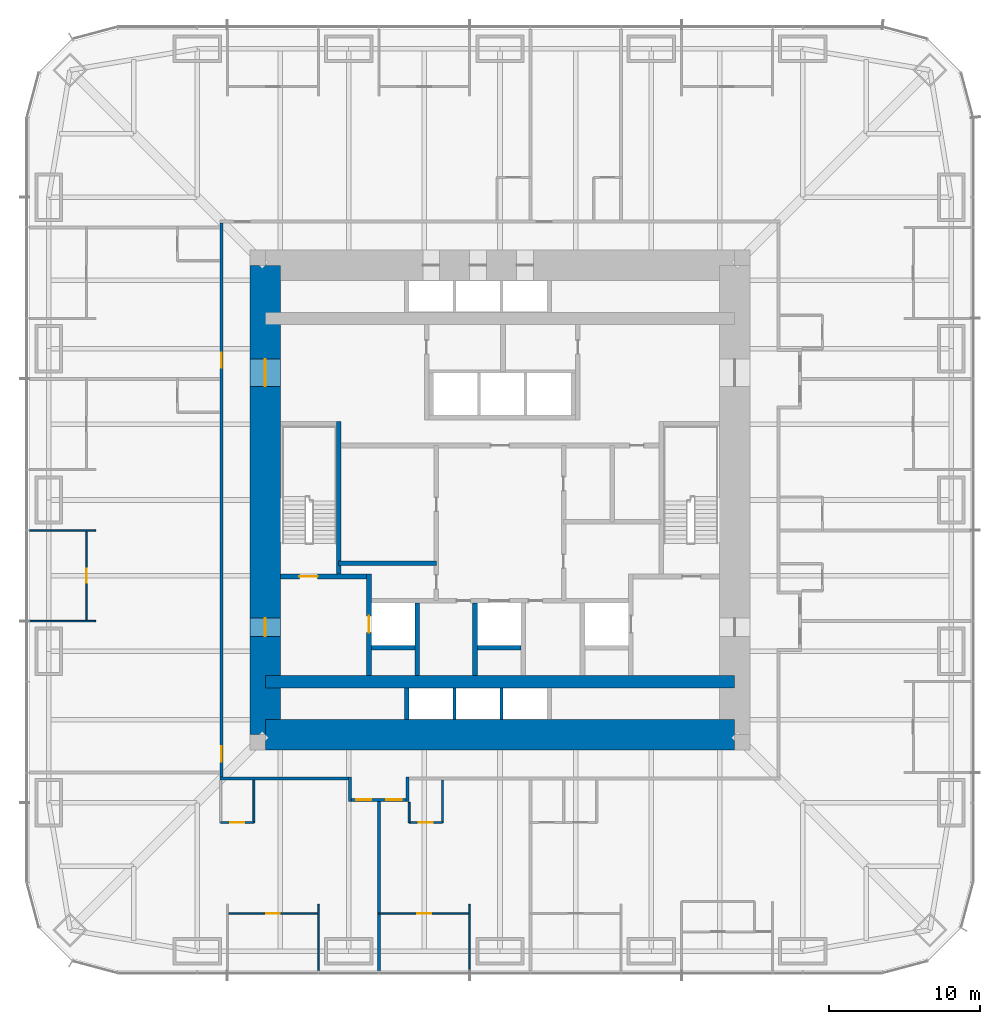
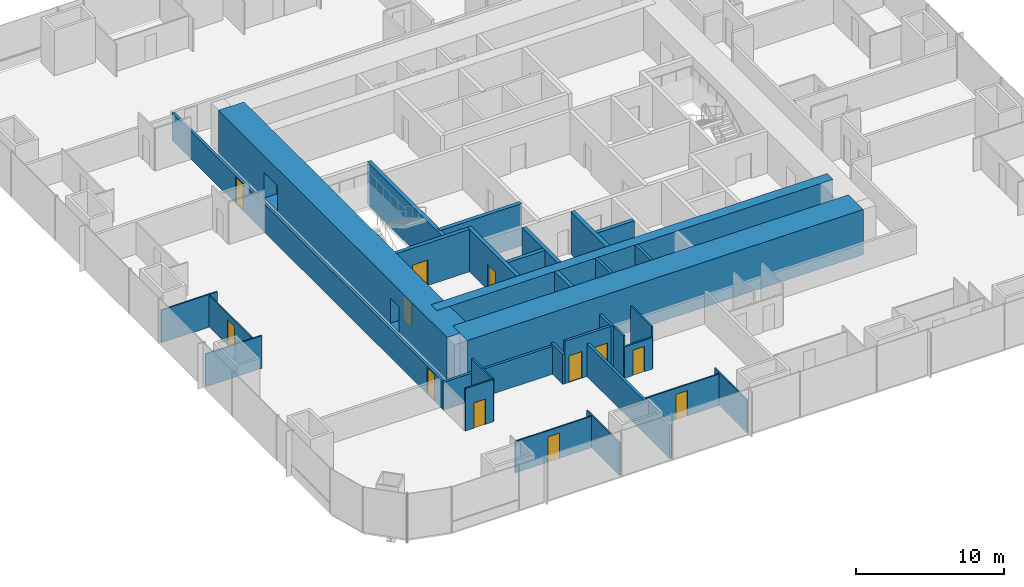
# One storey, part 12 of 17: 32 walls, 13 doors, 13 openings.
"""IFC4 building model written with IfcOpenShell, lengths in metres."""

from ifc_helpers import new_model, si_unit, direction, frame, frame_2d, origin, place, context, subcontext, project, spatial, rectangle, extrude, material, layer, layer_set, type_object, element, fill, save


model = new_model("IFC4")

# Units and contexts
model_context = context("Model", 3, precision=1e-05, world=origin(), true_north=direction((0.0, 1.0)))
body_context = subcontext(model_context, "Body", "Model", "MODEL_VIEW")
ifc_project = project(units=[si_unit("LENGTHUNIT", "METRE"), si_unit("AREAUNIT", "SQUARE_METRE"), si_unit("VOLUMEUNIT", "CUBIC_METRE"), si_unit("PLANEANGLEUNIT", "RADIAN"), si_unit("MASSUNIT", "GRAM", prefix="KILO")], contexts=[model_context])

# Site, building, storey
site_placement = place(None, origin())
site = spatial("IfcSite", under=ifc_project, at=site_placement, CompositionType="ELEMENT")
building_placement = place(site_placement, origin())
building = spatial("IfcBuilding", under=site, at=building_placement, Name="Khuree Lantern Residences", CompositionType="ELEMENT")
storey_placement = place(building_placement, frame((0.0, 0.0, 77.25)))
storey = spatial("IfcBuildingStorey", under=building, at=storey_placement, Name="L19", CompositionType="ELEMENT", Elevation=77.25)

# Wall, opening, door
ifc_material_1 = material(Name="Moisture-resistant gypsum board on steel studs", Category="steel")
ifc_layer_1 = layer(ifc_material_1, 0.125)
ifc_layer_set_1 = layer_set([ifc_layer_1], Name="BATHROOM WALL BTW125")
wall_type_1 = type_object("IfcWallType", Name="BATHROOM WALL BTW125", PredefinedType="PARTITIONING", material=ifc_layer_set_1)
wall_1_placement = place(storey_placement, frame((-18.449951171875, -21.300048828125, 0.0), z_axis=(0.0, 0.0, 1.0), x_axis=(1.0, 0.0, 0.0)))
wall_1 = element("IfcWall", 1, at=wall_1_placement, inside=storey, type_object=wall_type_1, Name="L19 BATHROOM WALL 08", PredefinedType="PARTITIONING", context=body_context, shape_type="SweptSolid", body=[
    extrude(rectangle(XDim=2.199951171875, YDim=0.125, at=frame_2d((1.10009765625, 0.0))), origin(), (0.0, 0.0, 1.0), 3.5),
])
opening_1_placement = place(wall_1_placement, frame((0.64990234375, 0.0, 0.0)))
opening_1 = element("IfcOpeningElement", 2, at=opening_1_placement, cuts=wall_1, Name="Opening 19-046", PredefinedType="OPENING", context=body_context, shape_type="SweptSolid", body=[
    extrude(rectangle(XDim=0.89990234375, YDim=2.10009765625, at=frame_2d((0.449951171875, 1.050048828125))), frame((0.0, 0.072509765625, 0.0), z_axis=(0.0, -1.0, 0.0), x_axis=(1.0, 0.0, 0.0)), (0.0, 0.0, 1.0), 0.14501953125),
])
ifc_material_2 = material(Name="Timber door leaf in hardwood frame", Category="wood")
door_type_1 = type_object("IfcDoorType", Name="BATHROOM DOOR 900X2100", OperationType="SINGLE_SWING_LEFT", PredefinedType="DOOR", material=ifc_material_2)
door_1_placement = place(opening_1_placement, origin())
door_1 = element("IfcDoor", 3, at=door_1_placement, inside=storey, type_object=door_type_1, Name="Bathroom door 19-046", OperationType="SINGLE_SWING_LEFT", OverallHeight=2.10009765625, OverallWidth=0.89990234375, PredefinedType="DOOR", context=body_context, shape_type="SweptSolid", body=[
    extrude(rectangle(XDim=0.89990234375, YDim=2.10009765625, at=frame_2d((0.449951171875, 1.050048828125))), frame((0.0, 0.02490234375, 0.0), z_axis=(0.0, -1.0, 0.0), x_axis=(1.0, 0.0, 0.0)), (0.0, 0.0, 1.0), 0.050048828125),
])
fill(opening_1, door_1)

# Wall
wall_2_placement = place(storey_placement, frame((-16.25, -18.5, 0.0), z_axis=(0.0, 0.0, 1.0), x_axis=(0.0, -1.0, 0.0)))
element("IfcWall", 4, at=wall_2_placement, inside=storey, type_object=wall_type_1, Name="L19 BATHROOM WALL 08", PredefinedType="PARTITIONING", context=body_context, shape_type="SweptSolid", body=[
    extrude(rectangle(XDim=2.800048828125, YDim=0.125, at=frame_2d((1.39990234375, 0.0))), origin(), (0.0, 0.0, 1.0), 3.5),
])

# Wall, opening, door
wall_3_placement = place(storey_placement, frame((-6.0, -21.300048828125, 0.0), z_axis=(0.0, 0.0, 1.0), x_axis=(1.0, 0.0, 0.0)))
wall_3 = element("IfcWall", 5, at=wall_3_placement, inside=storey, type_object=wall_type_1, Name="L19 BATHROOM WALL 09", PredefinedType="PARTITIONING", context=body_context, shape_type="SweptSolid", body=[
    extrude(rectangle(XDim=2.199951171875, YDim=0.125, at=frame_2d((1.10009765625, 0.0))), origin(), (0.0, 0.0, 1.0), 2.610107421875),
])
opening_2_placement = place(wall_3_placement, frame((0.64990234375, 0.0, 0.0)))
opening_2 = element("IfcOpeningElement", 6, at=opening_2_placement, cuts=wall_3, Name="Opening 19-049", PredefinedType="OPENING", context=body_context, shape_type="SweptSolid", body=[
    extrude(rectangle(XDim=0.89990234375, YDim=2.10009765625, at=frame_2d((0.449951171875, 1.050048828125))), frame((0.0, 0.072509765625, 0.0), z_axis=(0.0, -1.0, 0.0), x_axis=(1.0, 0.0, 0.0)), (0.0, 0.0, 1.0), 0.14501953125),
])
door_2_placement = place(opening_2_placement, origin())
door_2 = element("IfcDoor", 7, at=door_2_placement, inside=storey, type_object=door_type_1, Name="Bathroom door 19-049", OperationType="SINGLE_SWING_LEFT", OverallHeight=2.10009765625, OverallWidth=0.89990234375, PredefinedType="DOOR", context=body_context, shape_type="SweptSolid", body=[
    extrude(rectangle(XDim=0.89990234375, YDim=2.10009765625, at=frame_2d((0.449951171875, 1.050048828125))), frame((0.0, 0.02490234375, 0.0), z_axis=(0.0, -1.0, 0.0), x_axis=(1.0, 0.0, 0.0)), (0.0, 0.0, 1.0), 0.050048828125),
])
fill(opening_2, door_2)

# Walls
wall_4_placement = place(storey_placement, frame((-6.0, -19.969970703125, 0.0), z_axis=(0.0, 0.0, 1.0), x_axis=(0.0, -1.0, 0.0)))
element("IfcWall", 8, at=wall_4_placement, inside=storey, type_object=wall_type_1, Name="L19 BATHROOM WALL 09", PredefinedType="PARTITIONING", context=body_context, shape_type="SweptSolid", body=[
    extrude(rectangle(XDim=1.330078125, YDim=0.125, at=frame_2d((0.6650390625, 0.0))), origin(), (0.0, 0.0, 1.0), 3.5),
])
wall_5_placement = place(storey_placement, frame((-3.800048828125, -18.5, 0.0), z_axis=(0.0, 0.0, 1.0), x_axis=(0.0, -1.0, 0.0)))
element("IfcWall", 9, at=wall_5_placement, inside=storey, type_object=wall_type_1, Name="L19 BATHROOM WALL 09", PredefinedType="PARTITIONING", context=body_context, shape_type="SweptSolid", body=[
    extrude(rectangle(XDim=2.800048828125, YDim=0.125, at=frame_2d((1.39990234375, 0.0))), origin(), (0.0, 0.0, 1.0), 3.5),
])

# Wall, opening, door
ifc_material_3 = material(Name="Dense concrete blockwork", Category="masonry")
ifc_layer_2 = layer(ifc_material_3, 0.300048828125)
ifc_layer_set_2 = layer_set([ifc_layer_2], Name="CORE PARTITION WALL CPW300 EI 120")
wall_type_2 = type_object("IfcWallType", Name="CORE PARTITION WALL CPW300 EI 120", PredefinedType="PARTITIONING", material=ifc_layer_set_2)
wall_6_placement = place(storey_placement, frame((-8.64990234375, -11.60009765625, 0.0), z_axis=(0.0, 0.0, 1.0), x_axis=(0.0, 1.0, 0.0)))
wall_6 = element("IfcWall", 10, at=wall_6_placement, inside=storey, type_object=wall_type_2, Name="L19 CORE WALL FL1W", PredefinedType="PARTITIONING", context=body_context, shape_type="SweptSolid", body=[
    extrude(rectangle(XDim=6.7001953125, YDim=0.300048828125, at=frame_2d((3.35009765625, 0.0))), origin(), (0.0, 0.0, 1.0), 3.5),
])
opening_3_placement = place(wall_6_placement, frame((2.85009765625, 0.0, 0.0)))
opening_3 = element("IfcOpeningElement", 11, at=opening_3_placement, cuts=wall_6, Name="Opening 19-007", PredefinedType="OPENING", context=body_context, shape_type="SweptSolid", body=[
    extrude(rectangle(XDim=1.10009765625, YDim=2.10009765625, at=frame_2d((0.550048828125, 1.050048828125))), frame((0.0, 0.16015625, 0.0), z_axis=(0.0, -1.0, 0.0), x_axis=(1.0, 0.0, 0.0)), (0.0, 0.0, 1.0), 0.320068359375),
])
ifc_material_4 = material(Name="Stainless steel lift landing door", Category="steel")
door_type_2 = type_object("IfcDoorType", Name="LIFT LANDING DOOR 1100X2100 E 120", OperationType="DOUBLE_DOOR_SLIDING", PredefinedType="DOOR", material=ifc_material_4)
door_3_placement = place(opening_3_placement, origin())
door_3 = element("IfcDoor", 12, at=door_3_placement, inside=storey, type_object=door_type_2, Name="Landing door FL1 19-007", OperationType="DOUBLE_DOOR_SLIDING", OverallHeight=2.10009765625, OverallWidth=1.10009765625, PredefinedType="DOOR", context=body_context, shape_type="SweptSolid", body=[
    extrude(rectangle(XDim=1.10009765625, YDim=2.10009765625, at=frame_2d((0.550048828125, 1.050048828125))), frame((0.0, 0.02490234375, 0.0), z_axis=(0.0, -1.0, 0.0), x_axis=(1.0, 0.0, 0.0)), (0.0, 0.0, 1.0), 0.050048828125),
])
fill(opening_3, door_3)

# Walls
for number, where, z_axis, x_axis, name in (
    (13, (-5.449951171875, -11.60009765625, 0.0), (0.0, 0.0, 1.0), (0.0, 1.0, 0.0), "L19 CORE WALL FL1E"),
    (14, (-1.64990234375, -11.60009765625, 0.0), (0.0, 0.0, 1.0), (0.0, 1.0, 0.0), "L19 CORE WALL SL1W"),
):
    element("IfcWall", number, at=place(storey_placement, frame(where, z_axis=z_axis, x_axis=x_axis)), inside=storey, type_object=wall_type_2, Name=name, PredefinedType="PARTITIONING", context=body_context, shape_type="SweptSolid", body=[
        extrude(rectangle(XDim=4.800048828125, YDim=0.300048828125, at=frame_2d((2.39990234375, 0.0))), origin(), (0.0, 0.0, 1.0), 3.5),
    ])
for number, where, z_axis, x_axis, name in (
    (15, (-8.5, -9.75, 0.0), (0.0, 0.0, 1.0), (1.0, 0.0, 0.0), "L19 CORE WALL FL1S"),
    (16, (-1.5, -9.75, 0.0), (0.0, 0.0, 1.0), (1.0, 0.0, 0.0), "L19 CORE WALL SL1S"),
):
    element("IfcWall", number, at=place(storey_placement, frame(where, z_axis=z_axis, x_axis=x_axis)), inside=storey, type_object=wall_type_2, Name=name, PredefinedType="PARTITIONING", context=body_context, shape_type="SweptSolid", body=[
        extrude(rectangle(XDim=2.89990234375, YDim=0.300048828125, at=frame_2d((1.449951171875, 0.0))), origin(), (0.0, 0.0, 1.0), 3.5),
    ])
wall_7_placement = place(storey_placement, frame((-6.14990234375, -14.5, 0.0), z_axis=(0.0, 0.0, 1.0), x_axis=(0.0, 1.0, 0.0)))
element("IfcWall", 17, at=wall_7_placement, inside=storey, type_object=wall_type_2, Name="L19 CORE WALL PMW", PredefinedType="PARTITIONING", context=body_context, shape_type="SweptSolid", body=[
    extrude(rectangle(XDim=2.10009765625, YDim=0.300048828125, at=frame_2d((1.050048828125, 0.0))), origin(), (0.0, 0.0, 1.0), 3.5),
])
wall_8_placement = place(storey_placement, frame((-10.64990234375, -4.177001953125, 0.0), z_axis=(0.0, 0.0, 1.0), x_axis=(1.0, 0.0, 0.0)))
element("IfcWall", 18, at=wall_8_placement, inside=storey, type_object=wall_type_2, Name="L19 CORE WALL WX", PredefinedType="PARTITIONING", context=body_context, shape_type="SweptSolid", body=[
    extrude(rectangle(XDim=6.449951171875, YDim=0.300048828125, at=frame_2d((3.22509765625, 0.0))), origin(), (0.0, 0.0, 1.0), 3.5),
])

# Wall, openings, doors
ifc_material_5 = material(Name="Gypsum board on steel studs", Category="steel")
ifc_layer_3 = layer(ifc_material_5, 0.199951171875)
ifc_layer_set_3 = layer_set([ifc_layer_3], Name="CORRIDOR WALL CRW200 EI 60")
wall_type_3 = type_object("IfcWallType", Name="CORRIDOR WALL CRW200 EI 60", PredefinedType="PARTITIONING", material=ifc_layer_set_3)
wall_9_placement = place(storey_placement, frame((-18.39990234375, 18.300048828125, 0.0), z_axis=(0.0, 0.0, 1.0), x_axis=(0.0, -1.0, 0.0)))
wall_9 = element("IfcWall", 19, at=wall_9_placement, inside=storey, type_object=wall_type_3, Name="L19 CORRIDOR WALL WEST 1", PredefinedType="PARTITIONING", context=body_context, shape_type="SweptSolid", body=[
    extrude(rectangle(XDim=36.60009765625, YDim=0.199951171875, at=frame_2d((18.300048828125, 0.0))), origin(), (0.0, 0.0, 1.0), 2.300048828125),
])
opening_4_placement = place(wall_9_placement, frame((8.570068359375, 0.0, 0.0)))
opening_4 = element("IfcOpeningElement", 20, at=opening_4_placement, cuts=wall_9, Name="Opening 19-040", PredefinedType="OPENING", context=body_context, shape_type="SweptSolid", body=[
    extrude(rectangle(XDim=1.0, YDim=2.199951171875, at=frame_2d((0.5, 1.10009765625))), frame((0.0, 0.10986328125, 0.0), z_axis=(0.0, -1.0, 0.0), x_axis=(1.0, 0.0, 0.0)), (0.0, 0.0, 1.0), 0.219970703125),
])
opening_5_placement = place(wall_9_placement, frame((34.570068359375, 0.0, 0.0)))
opening_5 = element("IfcOpeningElement", 21, at=opening_5_placement, cuts=wall_9, Name="Opening 19-044", PredefinedType="OPENING", context=body_context, shape_type="SweptSolid", body=[
    extrude(rectangle(XDim=1.0, YDim=2.199951171875, at=frame_2d((0.5, 1.10009765625))), frame((0.0, 0.10986328125, 0.0), z_axis=(0.0, -1.0, 0.0), x_axis=(1.0, 0.0, 0.0)), (0.0, 0.0, 1.0), 0.219970703125),
])
door_type_3 = type_object("IfcDoorType", Name="APARTMENT ENTRANCE DOOR 1000X2200 EI 30S", OperationType="SINGLE_SWING_LEFT", PredefinedType="DOOR", material=ifc_material_2)
door_4_placement = place(opening_4_placement, origin())
door_4 = element("IfcDoor", 22, at=door_4_placement, inside=storey, type_object=door_type_3, Name="Apartment 06 entrance door 19-040", OperationType="SINGLE_SWING_LEFT", OverallHeight=2.199951171875, OverallWidth=1.0, PredefinedType="DOOR", context=body_context, shape_type="SweptSolid", body=[
    extrude(rectangle(XDim=1.0, YDim=2.199951171875, at=frame_2d((0.5, 1.10009765625))), frame((0.0, 0.02490234375, 0.0), z_axis=(0.0, -1.0, 0.0), x_axis=(1.0, 0.0, 0.0)), (0.0, 0.0, 1.0), 0.050048828125),
])
fill(opening_4, door_4)
door_type_4 = type_object("IfcDoorType", Name="APARTMENT ENTRANCE DOOR 1000X2200 EI 30S RIGHT HAND", OperationType="SINGLE_SWING_RIGHT", PredefinedType="DOOR", material=ifc_material_2)
door_5_placement = place(opening_5_placement, origin())
door_5 = element("IfcDoor", 23, at=door_5_placement, inside=storey, type_object=door_type_4, Name="Apartment 07 entrance door 19-044", OperationType="SINGLE_SWING_RIGHT", OverallHeight=2.199951171875, OverallWidth=1.0, PredefinedType="DOOR", context=body_context, shape_type="SweptSolid", body=[
    extrude(rectangle(XDim=1.0, YDim=2.199951171875, at=frame_2d((0.5, 1.10009765625))), frame((0.0, 0.02490234375, 0.0), z_axis=(0.0, -1.0, 0.0), x_axis=(1.0, 0.0, 0.0)), (0.0, 0.0, 1.0), 0.050048828125),
])
fill(opening_5, door_5)

# Walls
wall_10_placement = place(storey_placement, frame((-6.10009765625, -18.300048828125, 0.0), z_axis=(0.0, 0.0, 1.0), x_axis=(0.0, -1.0, 0.0)))
element("IfcWall", 24, at=wall_10_placement, inside=storey, type_object=wall_type_3, Name="L19 CORRIDOR ALCOVE WALL SOUTH", PredefinedType="PARTITIONING", context=body_context, shape_type="SweptSolid", body=[
    extrude(rectangle(XDim=1.599853515625, YDim=0.199951171875, at=frame_2d((0.7998046875, 0.0))), origin(), (0.0, 0.0, 1.0), 3.5),
])
wall_11_placement = place(storey_placement, frame((-9.89990234375, -18.300048828125, 0.0), z_axis=(0.0, 0.0, 1.0), x_axis=(0.0, -1.0, 0.0)))
element("IfcWall", 25, at=wall_11_placement, inside=storey, type_object=wall_type_3, Name="L19 CORRIDOR ALCOVE WALL SOUTH", PredefinedType="PARTITIONING", context=body_context, shape_type="SweptSolid", body=[
    extrude(rectangle(XDim=1.599853515625, YDim=0.199951171875, at=frame_2d((0.7998046875, 0.0))), origin(), (0.0, 0.0, 1.0), 2.491943359375),
])

# Wall, openings, doors
wall_12_placement = place(storey_placement, frame((-6.199951171875, -19.800048828125, 0.0), z_axis=(0.0, 0.0, 1.0), x_axis=(-1.0, 0.0, 0.0)))
wall_12 = element("IfcWall", 26, at=wall_12_placement, inside=storey, type_object=wall_type_3, Name="L19 CORRIDOR ALCOVE WALL SOUTH", PredefinedType="PARTITIONING", context=body_context, shape_type="SweptSolid", body=[
    extrude(rectangle(XDim=3.60009765625, YDim=0.199951171875, at=frame_2d((1.800048828125, 0.0))), origin(), (0.0, 0.0, 1.0), 3.5),
])
opening_6_placement = place(wall_12_placement, frame((2.300048828125, 0.0, 0.0)))
opening_6 = element("IfcOpeningElement", 27, at=opening_6_placement, cuts=wall_12, Name="Opening 19-047", PredefinedType="OPENING", context=body_context, shape_type="SweptSolid", body=[
    extrude(rectangle(XDim=1.0, YDim=2.199951171875, at=frame_2d((0.5, 1.10009765625))), frame((0.0, 0.10986328125, 0.0), z_axis=(0.0, -1.0, 0.0), x_axis=(1.0, 0.0, 0.0)), (0.0, 0.0, 1.0), 0.219970703125),
])
opening_7_placement = place(wall_12_placement, frame((0.300048828125, 0.0, 0.0)))
opening_7 = element("IfcOpeningElement", 28, at=opening_7_placement, cuts=wall_12, Name="Opening 19-050", PredefinedType="OPENING", context=body_context, shape_type="SweptSolid", body=[
    extrude(rectangle(XDim=1.0, YDim=2.199951171875, at=frame_2d((0.5, 1.10009765625))), frame((0.0, 0.10986328125, 0.0), z_axis=(0.0, -1.0, 0.0), x_axis=(1.0, 0.0, 0.0)), (0.0, 0.0, 1.0), 0.219970703125),
])
door_6_placement = place(opening_6_placement, origin())
door_6 = element("IfcDoor", 29, at=door_6_placement, inside=storey, type_object=door_type_3, Name="Apartment 08 entrance door 19-047", OperationType="SINGLE_SWING_LEFT", OverallHeight=2.199951171875, OverallWidth=1.0, PredefinedType="DOOR", context=body_context, shape_type="SweptSolid", body=[
    extrude(rectangle(XDim=1.0, YDim=2.199951171875, at=frame_2d((0.5, 1.10009765625))), frame((0.0, 0.02490234375, 0.0), z_axis=(0.0, -1.0, 0.0), x_axis=(1.0, 0.0, 0.0)), (0.0, 0.0, 1.0), 0.050048828125),
])
fill(opening_6, door_6)
door_7_placement = place(opening_7_placement, origin())
door_7 = element("IfcDoor", 30, at=door_7_placement, inside=storey, type_object=door_type_3, Name="Apartment 09 entrance door 19-050", OperationType="SINGLE_SWING_LEFT", OverallHeight=2.199951171875, OverallWidth=1.0, PredefinedType="DOOR", context=body_context, shape_type="SweptSolid", body=[
    extrude(rectangle(XDim=1.0, YDim=2.199951171875, at=frame_2d((0.5, 1.10009765625))), frame((0.0, 0.02490234375, 0.0), z_axis=(0.0, -1.0, 0.0), x_axis=(1.0, 0.0, 0.0)), (0.0, 0.0, 1.0), 0.050048828125),
])
fill(opening_7, door_7)

# Walls
wall_13_placement = place(storey_placement, frame((-10.0, -18.39990234375, 0.0), z_axis=(0.0, 0.0, 1.0), x_axis=(-1.0, 0.0, 0.0)))
element("IfcWall", 31, at=wall_13_placement, inside=storey, type_object=wall_type_3, Name="L19 CORRIDOR WALL SOUTH 2", PredefinedType="PARTITIONING", context=body_context, shape_type="SweptSolid", body=[
    extrude(rectangle(XDim=8.5, YDim=0.199951171875, at=frame_2d((4.25, 0.0))), origin(), (0.0, 0.0, 1.0), 2.300048828125),
])
ifc_material_6 = material(Name="Concrete C70/85", Category="concrete")
ifc_layer_4 = layer(ifc_material_6, 2.0)
ifc_layer_set_4 = layer_set([ifc_layer_4], Name="CW2000-C70 CORE WALL C70 2000")
wall_type_4 = type_object("IfcWallType", Name="CW2000-C70 CORE WALL C70 2000", PredefinedType="SHEAR", material=ifc_layer_set_4)
wall_14_placement = place(storey_placement, frame((-15.5, -15.5, -0.25), z_axis=(0.0, 0.0, 1.0), x_axis=(1.0, 0.0, 0.0)))
element("IfcWall", 32, at=wall_14_placement, inside=storey, type_object=wall_type_4, Name="Core wall S", PredefinedType="SHEAR", context=body_context, shape_type="SweptSolid", body=[
    extrude(rectangle(XDim=31.0, YDim=2.0, at=frame_2d((15.5, 0.0))), origin(), (0.0, 0.0, 1.0), 3.75),
])

# Wall, openings, doors
wall_15_placement = place(storey_placement, frame((-15.5, -15.5, -0.25), z_axis=(0.0, 0.0, 1.0), x_axis=(0.0, 1.0, 0.0)))
wall_15 = element("IfcWall", 33, at=wall_15_placement, inside=storey, type_object=wall_type_4, Name="Core wall W", PredefinedType="SHEAR", context=body_context, shape_type="SweptSolid", body=[
    extrude(rectangle(XDim=31.0, YDim=2.0, at=frame_2d((15.5, 0.0))), origin(), (0.0, 0.0, 1.0), 3.75),
])
opening_8_placement = place(wall_15_placement, frame((6.5, 0.0, 0.25)))
opening_8 = element("IfcOpeningElement", 34, at=opening_8_placement, cuts=wall_15, Name="Opening 19-002", PredefinedType="OPENING", context=body_context, shape_type="SweptSolid", body=[
    extrude(rectangle(XDim=1.199951171875, YDim=2.10009765625, at=frame_2d((0.60009765625, 1.050048828125))), frame((0.0, 1.010009765625, 0.0), z_axis=(0.0, -1.0, 0.0), x_axis=(1.0, 0.0, 0.0)), (0.0, 0.0, 1.0), 2.02001953125),
])
opening_9_placement = place(wall_15_placement, frame((23.0, 0.0, 0.25)))
opening_9 = element("IfcOpeningElement", 35, at=opening_9_placement, cuts=wall_15, Name="Opening 19-003", PredefinedType="OPENING", context=body_context, shape_type="SweptSolid", body=[
    extrude(rectangle(XDim=1.800048828125, YDim=2.10009765625, at=frame_2d((0.89990234375, 1.050048828125))), frame((0.0, 1.010009765625, 0.0), z_axis=(0.0, -1.0, 0.0), x_axis=(1.0, 0.0, 0.0)), (0.0, 0.0, 1.0), 2.02001953125),
])
ifc_material_7 = material(Name="Steel door leaf in steel frame", Category="steel")
door_type_5 = type_object("IfcDoorType", Name="LOBBY DOOR 1200X2100 EI 120", OperationType="SINGLE_SWING_LEFT", PredefinedType="DOOR", material=ifc_material_7)
door_8_placement = place(opening_8_placement, origin())
door_8 = element("IfcDoor", 36, at=door_8_placement, inside=storey, type_object=door_type_5, Name="Firefighting lobby door 19-002", OperationType="SINGLE_SWING_LEFT", OverallHeight=2.10009765625, OverallWidth=1.199951171875, PredefinedType="DOOR", context=body_context, shape_type="SweptSolid", body=[
    extrude(rectangle(XDim=1.199951171875, YDim=2.10009765625, at=frame_2d((0.60009765625, 1.050048828125))), frame((0.0, 0.02490234375, 0.0), z_axis=(0.0, -1.0, 0.0), x_axis=(1.0, 0.0, 0.0)), (0.0, 0.0, 1.0), 0.050048828125),
])
fill(opening_8, door_8)
door_type_6 = type_object("IfcDoorType", Name="LOBBY DOUBLE DOOR 1800X2100 EI 60", OperationType="DOUBLE_DOOR_SINGLE_SWING", PredefinedType="DOOR", material=ifc_material_7)
door_9_placement = place(opening_9_placement, origin())
door_9 = element("IfcDoor", 37, at=door_9_placement, inside=storey, type_object=door_type_6, Name="Lift lobby door 19-003", OperationType="DOUBLE_DOOR_SINGLE_SWING", OverallHeight=2.10009765625, OverallWidth=1.800048828125, PredefinedType="DOOR", context=body_context, shape_type="SweptSolid", body=[
    extrude(rectangle(XDim=1.800048828125, YDim=2.10009765625, at=frame_2d((0.89990234375, 1.050048828125))), frame((0.0, 0.02490234375, 0.0), z_axis=(0.0, -1.0, 0.0), x_axis=(1.0, 0.0, 0.0)), (0.0, 0.0, 1.0), 0.050048828125),
])
fill(opening_9, door_9)

# Walls
ifc_layer_5 = layer(ifc_material_5, 0.199951171875)
ifc_layer_set_5 = layer_set([ifc_layer_5], Name="DEMISING WALL DMW200 EI 90")
wall_type_5 = type_object("IfcWallType", Name="DEMISING WALL DMW200 EI 90", PredefinedType="PARTITIONING", material=ifc_layer_set_5)
wall_16_placement = place(storey_placement, frame((-8.0, -19.89990234375, 0.0), z_axis=(0.0, 0.0, 1.0), x_axis=(0.0, -1.0, 0.0)))
element("IfcWall", 38, at=wall_16_placement, inside=storey, type_object=wall_type_5, Name="L19 DEMISING WALL 09", PredefinedType="PARTITIONING", context=body_context, shape_type="SweptSolid", body=[
    extrude(rectangle(XDim=11.2001953125, YDim=0.199951171875, at=frame_2d((5.60009765625, 0.0))), origin(), (0.0, 0.0, 1.0), 2.7099609375),
])
ifc_layer_6 = layer(ifc_material_5, 0.10009765625)
ifc_layer_set_6 = layer_set([ifc_layer_6], Name="PARTITION PT100")
wall_type_6 = type_object("IfcWallType", Name="PARTITION PT100", PredefinedType="PARTITIONING", material=ifc_layer_set_6)
for number, where, z_axis, x_axis, name in (
    (39, (-26.699951171875, -2.0, 0.0), (0.0, 0.0, 1.0), (-1.0, 0.0, 0.0), "L19 PARTITION 07"),
    (40, (-26.699951171875, -8.0, 0.0), (0.0, 0.0, 1.0), (-1.0, 0.0, 0.0), "L19 PARTITION 07"),
    (41, (-12.0, -26.699951171875, 0.0), (0.0, 0.0, 1.0), (0.0, -1.0, 0.0), "L19 PARTITION 08"),
    (42, (-2.0, -26.699951171875, 0.0), (0.0, 0.0, 1.0), (0.0, -1.0, 0.0), "L19 PARTITION 09"),
):
    element("IfcWall", number, at=place(storey_placement, frame(where, z_axis=z_axis, x_axis=x_axis)), inside=storey, type_object=wall_type_6, Name=name, PredefinedType="PARTITIONING", context=body_context, shape_type="SweptSolid", body=[
        extrude(rectangle(XDim=4.400146484375, YDim=0.10009765625, at=frame_2d((2.2001953125, 0.0))), origin(), (0.0, 0.0, 1.0), 2.7099609375),
    ])

# Wall, opening, door
wall_17_placement = place(storey_placement, frame((-27.300048828125, -2.0, 0.0), z_axis=(0.0, 0.0, 1.0), x_axis=(0.0, -1.0, 0.0)))
wall_17 = element("IfcWall", 43, at=wall_17_placement, inside=storey, type_object=wall_type_6, Name="L19 PARTITION 07", PredefinedType="PARTITIONING", context=body_context, shape_type="SweptSolid", body=[
    extrude(rectangle(XDim=6.0, YDim=0.10009765625, at=frame_2d((3.0, 0.0))), origin(), (0.0, 0.0, 1.0), 2.610107421875),
])
opening_10_placement = place(wall_17_placement, frame((2.550048828125, 0.0, 0.0)))
opening_10 = element("IfcOpeningElement", 44, at=opening_10_placement, cuts=wall_17, Name="Opening 19-042", PredefinedType="OPENING", context=body_context, shape_type="SweptSolid", body=[
    extrude(rectangle(XDim=0.89990234375, YDim=2.10009765625, at=frame_2d((0.449951171875, 1.050048828125))), frame((0.0, 0.06005859375, 0.0), z_axis=(0.0, -1.0, 0.0), x_axis=(1.0, 0.0, 0.0)), (0.0, 0.0, 1.0), 0.1201171875),
])
door_type_7 = type_object("IfcDoorType", Name="BEDROOM DOOR 900X2100", OperationType="SINGLE_SWING_LEFT", PredefinedType="DOOR", material=ifc_material_2)
door_10_placement = place(opening_10_placement, origin())
door_10 = element("IfcDoor", 45, at=door_10_placement, inside=storey, type_object=door_type_7, Name="Bedroom door 19-042", OperationType="SINGLE_SWING_LEFT", OverallHeight=2.10009765625, OverallWidth=0.89990234375, PredefinedType="DOOR", context=body_context, shape_type="SweptSolid", body=[
    extrude(rectangle(XDim=0.89990234375, YDim=2.10009765625, at=frame_2d((0.449951171875, 1.050048828125))), frame((0.0, 0.02490234375, 0.0), z_axis=(0.0, -1.0, 0.0), x_axis=(1.0, 0.0, 0.0)), (0.0, 0.0, 1.0), 0.050048828125),
])
fill(opening_10, door_10)

wall_18_placement = place(storey_placement, frame((-18.0, -27.300048828125, 0.0), z_axis=(0.0, 0.0, 1.0), x_axis=(1.0, 0.0, 0.0)))
wall_18 = element("IfcWall", 46, at=wall_18_placement, inside=storey, type_object=wall_type_6, Name="L19 PARTITION 08", PredefinedType="PARTITIONING", context=body_context, shape_type="SweptSolid", body=[
    extrude(rectangle(XDim=6.0, YDim=0.10009765625, at=frame_2d((3.0, 0.0))), origin(), (0.0, 0.0, 1.0), 2.610107421875),
])
opening_11_placement = place(wall_18_placement, frame((2.550048828125, 0.0, 0.0)))
opening_11 = element("IfcOpeningElement", 47, at=opening_11_placement, cuts=wall_18, Name="Opening 19-045", PredefinedType="OPENING", context=body_context, shape_type="SweptSolid", body=[
    extrude(rectangle(XDim=0.89990234375, YDim=2.10009765625, at=frame_2d((0.449951171875, 1.050048828125))), frame((0.0, 0.06005859375, 0.0), z_axis=(0.0, -1.0, 0.0), x_axis=(1.0, 0.0, 0.0)), (0.0, 0.0, 1.0), 0.1201171875),
])
door_11_placement = place(opening_11_placement, origin())
door_11 = element("IfcDoor", 48, at=door_11_placement, inside=storey, type_object=door_type_7, Name="Bedroom door 19-045", OperationType="SINGLE_SWING_LEFT", OverallHeight=2.10009765625, OverallWidth=0.89990234375, PredefinedType="DOOR", context=body_context, shape_type="SweptSolid", body=[
    extrude(rectangle(XDim=0.89990234375, YDim=2.10009765625, at=frame_2d((0.449951171875, 1.050048828125))), frame((0.0, 0.02490234375, 0.0), z_axis=(0.0, -1.0, 0.0), x_axis=(1.0, 0.0, 0.0)), (0.0, 0.0, 1.0), 0.050048828125),
])
fill(opening_11, door_11)

wall_19_placement = place(storey_placement, frame((-8.0, -27.300048828125, 0.0), z_axis=(0.0, 0.0, 1.0), x_axis=(1.0, 0.0, 0.0)))
wall_19 = element("IfcWall", 49, at=wall_19_placement, inside=storey, type_object=wall_type_6, Name="L19 PARTITION 09", PredefinedType="PARTITIONING", context=body_context, shape_type="SweptSolid", body=[
    extrude(rectangle(XDim=6.0, YDim=0.10009765625, at=frame_2d((3.0, 0.0))), origin(), (0.0, 0.0, 1.0), 2.610107421875),
])
opening_12_placement = place(wall_19_placement, frame((2.550048828125, 0.0, 0.0)))
opening_12 = element("IfcOpeningElement", 50, at=opening_12_placement, cuts=wall_19, Name="Opening 19-048", PredefinedType="OPENING", context=body_context, shape_type="SweptSolid", body=[
    extrude(rectangle(XDim=0.89990234375, YDim=2.10009765625, at=frame_2d((0.449951171875, 1.050048828125))), frame((0.0, 0.06005859375, 0.0), z_axis=(0.0, -1.0, 0.0), x_axis=(1.0, 0.0, 0.0)), (0.0, 0.0, 1.0), 0.1201171875),
])
door_12_placement = place(opening_12_placement, origin())
door_12 = element("IfcDoor", 51, at=door_12_placement, inside=storey, type_object=door_type_7, Name="Bedroom door 19-048", OperationType="SINGLE_SWING_LEFT", OverallHeight=2.10009765625, OverallWidth=0.89990234375, PredefinedType="DOOR", context=body_context, shape_type="SweptSolid", body=[
    extrude(rectangle(XDim=0.89990234375, YDim=2.10009765625, at=frame_2d((0.449951171875, 1.050048828125))), frame((0.0, 0.02490234375, 0.0), z_axis=(0.0, -1.0, 0.0), x_axis=(1.0, 0.0, 0.0)), (0.0, 0.0, 1.0), 0.050048828125),
])
fill(opening_12, door_12)

# Walls
ifc_layer_7 = layer(ifc_material_3, 0.199951171875)
ifc_layer_set_7 = layer_set([ifc_layer_7], Name="SHAFT WALL SHW200 EI 120")
wall_type_7 = type_object("IfcWallType", Name="SHAFT WALL SHW200 EI 120", PredefinedType="PARTITIONING", material=ifc_layer_set_7)
for number, where, z_axis, x_axis, name in (
    (52, (-3.0, -14.5, 0.0), (0.0, 0.0, 1.0), (0.0, 1.0, 0.0), "L19 CORE WALL PMD1"),
    (53, (0.10009765625, -14.5, 0.0), (0.0, 0.0, 1.0), (0.0, 1.0, 0.0), "L19 CORE WALL PMD2"),
):
    element("IfcWall", number, at=place(storey_placement, frame(where, z_axis=z_axis, x_axis=x_axis)), inside=storey, type_object=wall_type_7, Name=name, PredefinedType="PARTITIONING", context=body_context, shape_type="SweptSolid", body=[
        extrude(rectangle(XDim=2.10009765625, YDim=0.199951171875, at=frame_2d((1.050048828125, 0.0))), origin(), (0.0, 0.0, 1.0), 3.5),
    ])
ifc_layer_8 = layer(ifc_material_6, 0.800048828125)
ifc_layer_set_8 = layer_set([ifc_layer_8], Name="SP800-C70 CORE SPINE WALL C70 800")
wall_type_8 = type_object("IfcWallType", Name="SP800-C70 CORE SPINE WALL C70 800", PredefinedType="SHEAR", material=ifc_layer_set_8)
wall_20_placement = place(storey_placement, frame((-15.5, -12.0, -0.25), z_axis=(0.0, 0.0, 1.0), x_axis=(1.0, 0.0, 0.0)))
element("IfcWall", 54, at=wall_20_placement, inside=storey, type_object=wall_type_8, Name="Core wall SPS", PredefinedType="SHEAR", context=body_context, shape_type="SweptSolid", body=[
    extrude(rectangle(XDim=31.0, YDim=0.800048828125, at=frame_2d((15.5, 0.0))), origin(), (0.0, 0.0, 1.0), 3.75),
])
ifc_material_8 = material(Name="Concrete C50/60", Category="concrete")
ifc_layer_9 = layer(ifc_material_8, 0.300048828125)
ifc_layer_set_9 = layer_set([ifc_layer_9], Name="STAIR WALL SRW300 C50/60 REI 240")
wall_type_9 = type_object("IfcWallType", Name="STAIR WALL SRW300 C50/60 REI 240", PredefinedType="SOLIDWALL", material=ifc_layer_set_9)
wall_21_placement = place(storey_placement, frame((-10.64990234375, -4.89990234375, 0.0), z_axis=(0.0, 0.0, 1.0), x_axis=(0.0, 1.0, 0.0)))
element("IfcWall", 55, at=wall_21_placement, inside=storey, type_object=wall_type_9, Name="L19 STAIR WALL ST1E", PredefinedType="SOLIDWALL", context=body_context, shape_type="SweptSolid", body=[
    extrude(rectangle(XDim=10.099853515625, YDim=0.300048828125, at=frame_2d((5.0498046875, 0.0))), origin(), (0.0, 0.0, 1.0), 3.5),
])

# Wall, opening, door
wall_22_placement = place(storey_placement, frame((-14.5, -5.050048828125, 0.0), z_axis=(0.0, 0.0, 1.0), x_axis=(1.0, 0.0, 0.0)))
wall_22 = element("IfcWall", 56, at=wall_22_placement, inside=storey, type_object=wall_type_9, Name="L19 STAIR WALL ST1S", PredefinedType="SOLIDWALL", context=body_context, shape_type="SweptSolid", body=[
    extrude(rectangle(XDim=5.699951171875, YDim=0.300048828125, at=frame_2d((2.85009765625, 0.0))), origin(), (0.0, 0.0, 1.0), 3.5),
])
opening_13_placement = place(wall_22_placement, frame((1.25, 0.0, 0.0)))
opening_13 = element("IfcOpeningElement", 57, at=opening_13_placement, cuts=wall_22, Name="Opening 19-001", PredefinedType="OPENING", context=body_context, shape_type="SweptSolid", body=[
    extrude(rectangle(XDim=1.199951171875, YDim=2.10009765625, at=frame_2d((0.60009765625, 1.050048828125))), frame((0.0, 0.16015625, 0.0), z_axis=(0.0, -1.0, 0.0), x_axis=(1.0, 0.0, 0.0)), (0.0, 0.0, 1.0), 0.320068359375),
])
door_type_8 = type_object("IfcDoorType", Name="STAIR DOOR 1200X2100 EI 120", OperationType="SINGLE_SWING_LEFT", PredefinedType="DOOR", material=ifc_material_7)
door_13_placement = place(opening_13_placement, origin())
door_13 = element("IfcDoor", 58, at=door_13_placement, inside=storey, type_object=door_type_8, Name="Stair ST1 door 19-001", OperationType="SINGLE_SWING_LEFT", OverallHeight=2.10009765625, OverallWidth=1.199951171875, PredefinedType="DOOR", context=body_context, shape_type="SweptSolid", body=[
    extrude(rectangle(XDim=1.199951171875, YDim=2.10009765625, at=frame_2d((0.60009765625, 1.050048828125))), frame((0.0, 0.02490234375, 0.0), z_axis=(0.0, -1.0, 0.0), x_axis=(1.0, 0.0, 0.0)), (0.0, 0.0, 1.0), 0.050048828125),
])
fill(opening_13, door_13)

save(model, "model.ifc")
